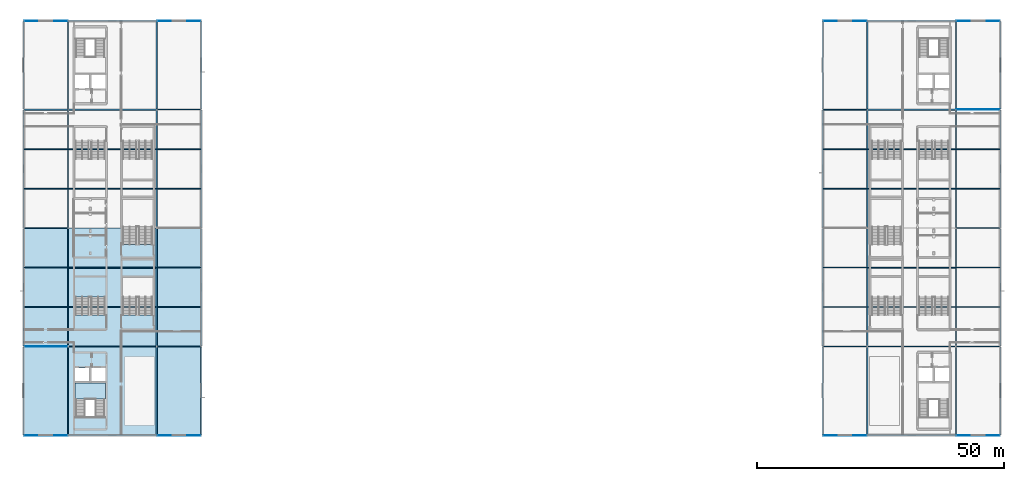
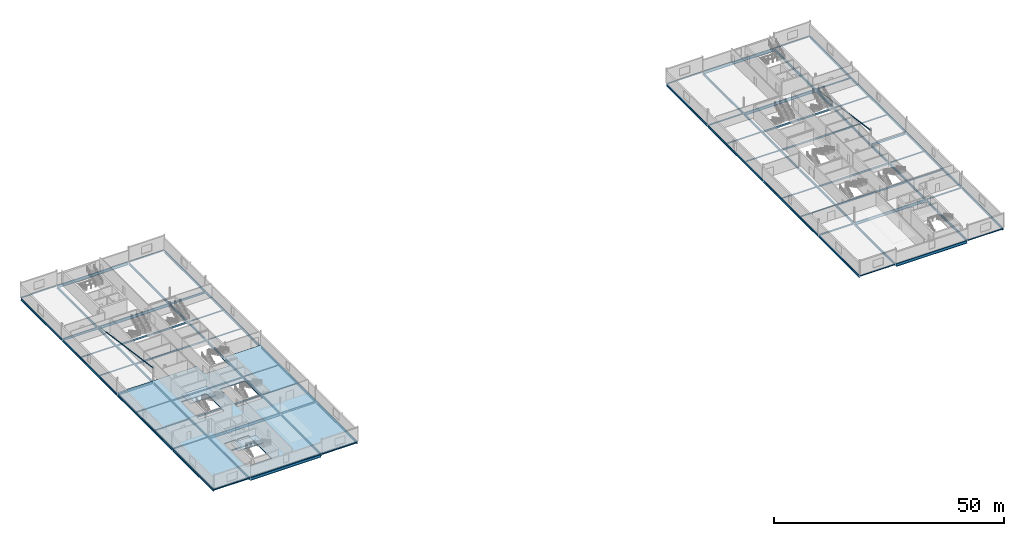
# One storey, part 17 of 35: 82 beams, 3 slabs, 2 members, 2 elements without a shape of their own.
"""IFC4 building model written with IfcOpenShell, lengths in metres."""

from ifc_helpers import new_model, si_unit, direction, frame, origin, origin_2d, place, context, subcontext, project, spatial, polyline, hollow_rectangle, hollow_circle, i_section, outline, extrude, material, layer, layer_set, material_profile, profile_set, type_object, element, aggregate, save


model = new_model("IFC4")

# Units and contexts
model_context = context("Model", 3, precision=1e-05, world=origin(), true_north=direction((0.0, 1.0)))
body_context = subcontext(model_context, "Body", "Model", "MODEL_VIEW")
ifc_project = project(units=[si_unit("LENGTHUNIT", "METRE"), si_unit("AREAUNIT", "SQUARE_METRE"), si_unit("VOLUMEUNIT", "CUBIC_METRE"), si_unit("PLANEANGLEUNIT", "RADIAN"), si_unit("MASSUNIT", "GRAM", prefix="KILO")], contexts=[model_context])

# Site, building, storey
site_placement = place(None, origin())
site = spatial("IfcSite", under=ifc_project, at=site_placement, CompositionType="ELEMENT")
building_placement = place(site_placement, origin())
building = spatial("IfcBuilding", under=site, at=building_placement, Name="Kisiwana Market Hall", CompositionType="ELEMENT")
storey_placement = place(building_placement, frame((0.0, 0.0, 61.800048828125)))
storey = spatial("IfcBuildingStorey", under=building, at=storey_placement, Name="L14", CompositionType="ELEMENT", Elevation=61.800048828125)

# Beams
ifc_material_1 = material(Name="Steel S355", Category="steel")
ifc_material_profile_1 = material_profile(ifc_material_1, i_section(OverallWidth=0.2099609375, OverallDepth=0.550048828125, WebThickness=0.010986328125, FlangeThickness=0.01708984375, FilletRadius=0.02392578125, at=origin_2d()), Name="IPE 550")
ifc_profile_set_1 = profile_set([ifc_material_profile_1], Name="Steel S355")
beam_type_1 = type_object("IfcBeamType", Name="BM-GIRD-IPE550", PredefinedType="BEAM", material=ifc_profile_set_1)
beam_1_placement = place(storey_placement, frame((27.1005859375, 84.0, -0.52001953125), z_axis=(1.0, 0.0, 0.0), x_axis=(0.0, 1.0, 0.0)))
element("IfcBeam", 1, at=beam_1_placement, inside=storey, type_object=beam_type_1, Name="Floor beam B-2774", PredefinedType="BEAM", context=body_context, shape_type="SweptSolid", body=[
    extrude(i_section(OverallWidth=0.2099609375, OverallDepth=0.550048828125, WebThickness=0.010986328125, FlangeThickness=0.01708984375, FilletRadius=0.02392578125, at=origin_2d()), origin(), (0.0, 0.0, 1.0), 8.800537109375),
])
ifc_material_2 = material(Name="Steel S355", Category="steel")
ifc_material_profile_2 = material_profile(ifc_material_2, i_section(OverallWidth=0.230224609375, OverallDepth=0.6171875, WebThickness=0.01318359375, FlangeThickness=0.022216796875, FilletRadius=0.0126953125, at=origin_2d()), Name="UB 610x229x140")
ifc_profile_set_2 = profile_set([ifc_material_profile_2], Name="Steel S355")
beam_type_2 = type_object("IfcBeamType", Name="BM-GIRD-UB140", PredefinedType="BEAM", material=ifc_profile_set_2)
beam_2_placement = place(storey_placement, frame((0.098876953125, 84.0, -0.5537109375), z_axis=(1.0, 0.0, 0.0), x_axis=(0.0, 1.0, 0.0)))
element("IfcBeam", 2, at=beam_2_placement, inside=storey, type_object=beam_type_2, Name="Floor beam B-2772", PredefinedType="BEAM", context=body_context, shape_type="SweptSolid", body=[
    extrude(i_section(OverallWidth=0.230224609375, OverallDepth=0.6171875, WebThickness=0.01318359375, FlangeThickness=0.022216796875, FilletRadius=0.0126953125, at=origin_2d()), origin(), (0.0, 0.0, 1.0), 8.800537109375),
])
ifc_material_3 = material(Name="Steel S355", Category="steel")
ifc_material_profile_3 = material_profile(ifc_material_3, i_section(OverallWidth=0.209228515625, OverallDepth=0.533203125, WebThickness=0.010009765625, FlangeThickness=0.015625, at=origin_2d()), Name="UB 533x210x92")
ifc_profile_set_3 = profile_set([ifc_material_profile_3], Name="Steel S355")
beam_type_3 = type_object("IfcBeamType", Name="BM-GIRD-UB533", PredefinedType="BEAM", material=ifc_profile_set_3)
for number, where, z_axis, x_axis, name in (
    (3, (27.1005859375, 36.0, -0.51171875), (1.0, 0.0, 0.0), (0.0, 1.0, 0.0), "Floor beam B-2768"),
    (4, (0.098876953125, 60.0, -0.51171875), (1.0, 0.0, 0.0), (0.0, 1.0, 0.0), "Primary girder B-2718"),
    (5, (189.1005859375, 60.0, -0.51171875), (1.0, 0.0, 0.0), (0.0, 1.0, 0.0), "Primary girder B-2719"),
):
    element("IfcBeam", number, at=place(storey_placement, frame(where, z_axis=z_axis, x_axis=x_axis)), inside=storey, type_object=beam_type_3, Name=name, PredefinedType="BEAM", context=body_context, shape_type="SweptSolid", body=[
        extrude(i_section(OverallWidth=0.209228515625, OverallDepth=0.533203125, WebThickness=0.010009765625, FlangeThickness=0.015625, at=origin_2d()), origin(), (0.0, 0.0, 1.0), 8.800537109375),
    ])
ifc_material_4 = material(Name="Steel S355", Category="steel")
ifc_material_profile_4 = material_profile(ifc_material_4, i_section(OverallWidth=0.22900390625, OverallDepth=0.6123046875, WebThickness=0.011962890625, FlangeThickness=0.01953125, at=origin_2d()), Name="UB 610x229x125")
ifc_profile_set_4 = profile_set([ifc_material_profile_4], Name="Steel S355")
beam_type_4 = type_object("IfcBeamType", Name="BM-GIRD-UB610H", PredefinedType="BEAM", material=ifc_profile_set_4)
beam_3_placement = place(storey_placement, frame((0.0, 18.100830078125, -0.55126953125), z_axis=(0.0, 1.0, 0.0), x_axis=(-1.0, 0.0, 0.0)))
element("IfcBeam", 6, at=beam_3_placement, inside=storey, type_object=beam_type_4, Name="Floor beam B-2784", PredefinedType="BEAM", context=body_context, shape_type="SweptSolid", body=[
    extrude(i_section(OverallWidth=0.22900390625, OverallDepth=0.6123046875, WebThickness=0.011962890625, FlangeThickness=0.01953125, at=origin_2d()), origin(), (0.0, 0.0, 1.0), 17.79833984375),
])
for number, where, z_axis, x_axis, name in (
    (7, (0.0, 36.100830078125, -0.55126953125), (0.0, 1.0, 0.0), (-1.0, 0.0, 0.0), "Floor beam B-2785"),
    (8, (0.0, 60.100830078125, -0.55126953125), (0.0, 1.0, 0.0), (-1.0, 0.0, 0.0), "Floor beam B-2786"),
):
    element("IfcBeam", number, at=place(storey_placement, frame(where, z_axis=z_axis, x_axis=x_axis)), inside=storey, type_object=beam_type_4, Name=name, PredefinedType="BEAM", context=body_context, shape_type="SweptSolid", body=[
        extrude(i_section(OverallWidth=0.22900390625, OverallDepth=0.6123046875, WebThickness=0.011962890625, FlangeThickness=0.01953125, at=origin_2d()), origin(), (0.0, 0.0, 1.0), 23.79833984375),
    ])
beam_4_placement = place(storey_placement, frame((0.0, 84.100830078125, -0.55126953125), z_axis=(0.0, 1.0, 0.0), x_axis=(-1.0, 0.0, 0.0)))
element("IfcBeam", 9, at=beam_4_placement, inside=storey, type_object=beam_type_4, Name="Floor beam B-2787", PredefinedType="BEAM", context=body_context, shape_type="SweptSolid", body=[
    extrude(i_section(OverallWidth=0.22900390625, OverallDepth=0.6123046875, WebThickness=0.011962890625, FlangeThickness=0.01953125, at=origin_2d()), origin(), (0.0, 0.0, 1.0), 17.79833984375),
])
for number, where, z_axis, x_axis, name in (
    (10, (27.0, 36.107177734375, -0.55126953125), (0.0, 1.0, 0.0), (-1.0, 0.0, 0.0), "Floor beam B-2788"),
    (11, (27.0, 60.107177734375, -0.55126953125), (0.0, 1.0, 0.0), (-1.0, 0.0, 0.0), "Floor beam B-2789"),
):
    element("IfcBeam", number, at=place(storey_placement, frame(where, z_axis=z_axis, x_axis=x_axis)), inside=storey, type_object=beam_type_4, Name=name, PredefinedType="BEAM", context=body_context, shape_type="SweptSolid", body=[
        extrude(i_section(OverallWidth=0.22900390625, OverallDepth=0.6123046875, WebThickness=0.011962890625, FlangeThickness=0.01953125, at=origin_2d()), origin(), (0.0, 0.0, 1.0), 23.78564453125),
    ])
for number, where, z_axis, x_axis, name in (
    (12, (36.0, 18.100830078125, -0.55126953125), (0.0, 1.0, 0.0), (-1.0, 0.0, 0.0), "Floor beam B-2790"),
    (13, (36.0, 84.100830078125, -0.55126953125), (0.0, 1.0, 0.0), (-1.0, 0.0, 0.0), "Floor beam B-2791"),
    (14, (162.0, 18.100830078125, -0.55126953125), (0.0, 1.0, 0.0), (-1.0, 0.0, 0.0), "Floor beam B-2792"),
    (15, (162.0, 84.100830078125, -0.55126953125), (0.0, 1.0, 0.0), (-1.0, 0.0, 0.0), "Floor beam B-2793"),
):
    element("IfcBeam", number, at=place(storey_placement, frame(where, z_axis=z_axis, x_axis=x_axis)), inside=storey, type_object=beam_type_4, Name=name, PredefinedType="BEAM", context=body_context, shape_type="SweptSolid", body=[
        extrude(i_section(OverallWidth=0.22900390625, OverallDepth=0.6123046875, WebThickness=0.011962890625, FlangeThickness=0.01953125, at=origin_2d()), origin(), (0.0, 0.0, 1.0), 17.79833984375),
    ])
for number, where, z_axis, x_axis, name in (
    (16, (171.0, 36.107177734375, -0.55126953125), (0.0, 1.0, 0.0), (-1.0, 0.0, 0.0), "Floor beam B-2794"),
    (17, (171.0, 60.107177734375, -0.55126953125), (0.0, 1.0, 0.0), (-1.0, 0.0, 0.0), "Floor beam B-2795"),
):
    element("IfcBeam", number, at=place(storey_placement, frame(where, z_axis=z_axis, x_axis=x_axis)), inside=storey, type_object=beam_type_4, Name=name, PredefinedType="BEAM", context=body_context, shape_type="SweptSolid", body=[
        extrude(i_section(OverallWidth=0.22900390625, OverallDepth=0.6123046875, WebThickness=0.011962890625, FlangeThickness=0.01953125, at=origin_2d()), origin(), (0.0, 0.0, 1.0), 23.78564453125),
    ])
beam_5_placement = place(storey_placement, frame((198.0, 18.100830078125, -0.55126953125), z_axis=(0.0, 1.0, 0.0), x_axis=(-1.0, 0.0, 0.0)))
element("IfcBeam", 18, at=beam_5_placement, inside=storey, type_object=beam_type_4, Name="Floor beam B-2796", PredefinedType="BEAM", context=body_context, shape_type="SweptSolid", body=[
    extrude(i_section(OverallWidth=0.22900390625, OverallDepth=0.6123046875, WebThickness=0.011962890625, FlangeThickness=0.01953125, at=origin_2d()), origin(), (0.0, 0.0, 1.0), 17.79833984375),
])
for number, where, z_axis, x_axis, name in (
    (19, (198.0, 36.100830078125, -0.55126953125), (0.0, 1.0, 0.0), (-1.0, 0.0, 0.0), "Floor beam B-2797"),
    (20, (198.0, 60.100830078125, -0.55126953125), (0.0, 1.0, 0.0), (-1.0, 0.0, 0.0), "Floor beam B-2798"),
):
    element("IfcBeam", number, at=place(storey_placement, frame(where, z_axis=z_axis, x_axis=x_axis)), inside=storey, type_object=beam_type_4, Name=name, PredefinedType="BEAM", context=body_context, shape_type="SweptSolid", body=[
        extrude(i_section(OverallWidth=0.22900390625, OverallDepth=0.6123046875, WebThickness=0.011962890625, FlangeThickness=0.01953125, at=origin_2d()), origin(), (0.0, 0.0, 1.0), 23.79833984375),
    ])
beam_6_placement = place(storey_placement, frame((198.0, 84.100830078125, -0.55126953125), z_axis=(0.0, 1.0, 0.0), x_axis=(-1.0, 0.0, 0.0)))
element("IfcBeam", 21, at=beam_6_placement, inside=storey, type_object=beam_type_4, Name="Floor beam B-2799", PredefinedType="BEAM", context=body_context, shape_type="SweptSolid", body=[
    extrude(i_section(OverallWidth=0.22900390625, OverallDepth=0.6123046875, WebThickness=0.011962890625, FlangeThickness=0.01953125, at=origin_2d()), origin(), (0.0, 0.0, 1.0), 17.79833984375),
])
beam_7_placement = place(storey_placement, frame((9.0, 18.107177734375, -0.55126953125), z_axis=(0.0, 1.0, 0.0), x_axis=(-1.0, 0.0, 0.0)))
element("IfcBeam", 22, at=beam_7_placement, inside=storey, type_object=beam_type_4, Name="Primary girder B-2720", PredefinedType="BEAM", context=body_context, shape_type="SweptSolid", body=[
    extrude(i_section(OverallWidth=0.22900390625, OverallDepth=0.6123046875, WebThickness=0.011962890625, FlangeThickness=0.01953125, at=origin_2d()), origin(), (0.0, 0.0, 1.0), 17.78564453125),
])
for number, where, z_axis, x_axis, name in (
    (23, (9.0, 36.107177734375, -0.55126953125), (0.0, 1.0, 0.0), (-1.0, 0.0, 0.0), "Primary girder B-2721"),
    (24, (9.0, 60.107177734375, -0.55126953125), (0.0, 1.0, 0.0), (-1.0, 0.0, 0.0), "Primary girder B-2722"),
):
    element("IfcBeam", number, at=place(storey_placement, frame(where, z_axis=z_axis, x_axis=x_axis)), inside=storey, type_object=beam_type_4, Name=name, PredefinedType="BEAM", context=body_context, shape_type="SweptSolid", body=[
        extrude(i_section(OverallWidth=0.22900390625, OverallDepth=0.6123046875, WebThickness=0.011962890625, FlangeThickness=0.01953125, at=origin_2d()), origin(), (0.0, 0.0, 1.0), 23.78564453125),
    ])
for number, where, z_axis, x_axis, name in (
    (25, (9.0, 84.107177734375, -0.55126953125), (0.0, 1.0, 0.0), (-1.0, 0.0, 0.0), "Primary girder B-2723"),
    (26, (27.0, 18.107177734375, -0.55126953125), (0.0, 1.0, 0.0), (-1.0, 0.0, 0.0), "Primary girder B-2724"),
    (27, (27.0, 84.107177734375, -0.55126953125), (0.0, 1.0, 0.0), (-1.0, 0.0, 0.0), "Primary girder B-2725"),
):
    element("IfcBeam", number, at=place(storey_placement, frame(where, z_axis=z_axis, x_axis=x_axis)), inside=storey, type_object=beam_type_4, Name=name, PredefinedType="BEAM", context=body_context, shape_type="SweptSolid", body=[
        extrude(i_section(OverallWidth=0.22900390625, OverallDepth=0.6123046875, WebThickness=0.011962890625, FlangeThickness=0.01953125, at=origin_2d()), origin(), (0.0, 0.0, 1.0), 17.78564453125),
    ])
for number, where, z_axis, x_axis, name in (
    (28, (36.0, 36.100830078125, -0.55126953125), (0.0, 1.0, 0.0), (-1.0, 0.0, 0.0), "Primary girder B-2726"),
    (29, (36.0, 60.100830078125, -0.55126953125), (0.0, 1.0, 0.0), (-1.0, 0.0, 0.0), "Primary girder B-2727"),
    (30, (162.0, 36.100830078125, -0.55126953125), (0.0, 1.0, 0.0), (-1.0, 0.0, 0.0), "Primary girder B-2728"),
    (31, (162.0, 60.100830078125, -0.55126953125), (0.0, 1.0, 0.0), (-1.0, 0.0, 0.0), "Primary girder B-2729"),
):
    element("IfcBeam", number, at=place(storey_placement, frame(where, z_axis=z_axis, x_axis=x_axis)), inside=storey, type_object=beam_type_4, Name=name, PredefinedType="BEAM", context=body_context, shape_type="SweptSolid", body=[
        extrude(i_section(OverallWidth=0.22900390625, OverallDepth=0.6123046875, WebThickness=0.011962890625, FlangeThickness=0.01953125, at=origin_2d()), origin(), (0.0, 0.0, 1.0), 23.79833984375),
    ])
for number, where, z_axis, x_axis, name in (
    (32, (171.0, 18.107177734375, -0.55126953125), (0.0, 1.0, 0.0), (-1.0, 0.0, 0.0), "Primary girder B-2730"),
    (33, (171.0, 84.107177734375, -0.55126953125), (0.0, 1.0, 0.0), (-1.0, 0.0, 0.0), "Primary girder B-2731"),
    (34, (189.0, 18.107177734375, -0.55126953125), (0.0, 1.0, 0.0), (-1.0, 0.0, 0.0), "Primary girder B-2732"),
):
    element("IfcBeam", number, at=place(storey_placement, frame(where, z_axis=z_axis, x_axis=x_axis)), inside=storey, type_object=beam_type_4, Name=name, PredefinedType="BEAM", context=body_context, shape_type="SweptSolid", body=[
        extrude(i_section(OverallWidth=0.22900390625, OverallDepth=0.6123046875, WebThickness=0.011962890625, FlangeThickness=0.01953125, at=origin_2d()), origin(), (0.0, 0.0, 1.0), 17.78564453125),
    ])
for number, where, z_axis, x_axis, name in (
    (35, (189.0, 36.107177734375, -0.55126953125), (0.0, 1.0, 0.0), (-1.0, 0.0, 0.0), "Primary girder B-2733"),
    (36, (189.0, 60.107177734375, -0.55126953125), (0.0, 1.0, 0.0), (-1.0, 0.0, 0.0), "Primary girder B-2734"),
):
    element("IfcBeam", number, at=place(storey_placement, frame(where, z_axis=z_axis, x_axis=x_axis)), inside=storey, type_object=beam_type_4, Name=name, PredefinedType="BEAM", context=body_context, shape_type="SweptSolid", body=[
        extrude(i_section(OverallWidth=0.22900390625, OverallDepth=0.6123046875, WebThickness=0.011962890625, FlangeThickness=0.01953125, at=origin_2d()), origin(), (0.0, 0.0, 1.0), 23.78564453125),
    ])
beam_8_placement = place(storey_placement, frame((189.0, 84.107177734375, -0.55126953125), z_axis=(0.0, 1.0, 0.0), x_axis=(-1.0, 0.0, 0.0)))
element("IfcBeam", 37, at=beam_8_placement, inside=storey, type_object=beam_type_4, Name="Primary girder B-2735", PredefinedType="BEAM", context=body_context, shape_type="SweptSolid", body=[
    extrude(i_section(OverallWidth=0.22900390625, OverallDepth=0.6123046875, WebThickness=0.011962890625, FlangeThickness=0.01953125, at=origin_2d()), origin(), (0.0, 0.0, 1.0), 17.78564453125),
])
ifc_material_5 = material(Name="Steel S355", Category="steel")
ifc_material_profile_5 = material_profile(ifc_material_5, i_section(OverallWidth=0.2666015625, OverallDepth=0.76220703125, WebThickness=0.014404296875, FlangeThickness=0.021484375, at=origin_2d()), Name="UB 762x267x173")
ifc_profile_set_5 = profile_set([ifc_material_profile_5], Name="Steel S355")
beam_type_5 = type_object("IfcBeamType", Name="BM-GIRD-UB762", PredefinedType="BEAM", material=ifc_profile_set_5)
for number, where, z_axis, x_axis, name in (
    (38, (9.1005859375, 18.0, -0.626220703125), (1.0, 0.0, 0.0), (0.0, 1.0, 0.0), "Floor beam B-2761"),
    (39, (171.1005859375, 18.0, -0.626220703125), (1.0, 0.0, 0.0), (0.0, 1.0, 0.0), "Floor beam B-2764"),
    (40, (9.1005859375, 36.0, -0.626220703125), (1.0, 0.0, 0.0), (0.0, 1.0, 0.0), "Floor beam B-2767"),
    (41, (171.1005859375, 36.0, -0.626220703125), (1.0, 0.0, 0.0), (0.0, 1.0, 0.0), "Floor beam B-2770"),
    (42, (9.1005859375, 84.0, -0.626220703125), (1.0, 0.0, 0.0), (0.0, 1.0, 0.0), "Floor beam B-2773"),
    (43, (171.1005859375, 84.0, -0.626220703125), (1.0, 0.0, 0.0), (0.0, 1.0, 0.0), "Floor beam B-2776"),
    (44, (9.1005859375, 102.0, -0.626220703125), (1.0, 0.0, 0.0), (0.0, 1.0, 0.0), "Floor beam B-2779"),
    (45, (171.1005859375, 102.0, -0.626220703125), (1.0, 0.0, 0.0), (0.0, 1.0, 0.0), "Floor beam B-2782"),
):
    element("IfcBeam", number, at=place(storey_placement, frame(where, z_axis=z_axis, x_axis=x_axis)), inside=storey, type_object=beam_type_5, Name=name, PredefinedType="BEAM", context=body_context, shape_type="SweptSolid", body=[
        extrude(i_section(OverallWidth=0.2666015625, OverallDepth=0.76220703125, WebThickness=0.014404296875, FlangeThickness=0.021484375, at=origin_2d()), origin(), (0.0, 0.0, 1.0), 17.798828125),
    ])
ifc_material_6 = material(Name="Steel S355", Category="steel")
ifc_material_profile_6 = material_profile(ifc_material_6, i_section(OverallWidth=0.102294921875, OverallDepth=0.260498046875, WebThickness=0.00634765625, FlangeThickness=0.010009765625, FilletRadius=0.007568359375, at=origin_2d()), Name="UB 254x102x28")
ifc_profile_set_6 = profile_set([ifc_material_profile_6], Name="Steel S355")
beam_type_6 = type_object("IfcBeamType", Name="BM-JOIST-UB028", PredefinedType="JOIST", material=ifc_profile_set_6)
for number, where, z_axis, x_axis, name in (
    (46, (0.098876953125, 36.0, -0.375244140625), (1.0, 0.0, 0.0), (0.0, 1.0, 0.0), "Floor beam B-2766"),
    (47, (189.1005859375, 84.0, -0.375244140625), (1.0, 0.0, 0.0), (0.0, 1.0, 0.0), "Floor beam B-2777"),
):
    element("IfcBeam", number, at=place(storey_placement, frame(where, z_axis=z_axis, x_axis=x_axis)), inside=storey, type_object=beam_type_6, Name=name, PredefinedType="JOIST", context=body_context, shape_type="SweptSolid", body=[
        extrude(i_section(OverallWidth=0.102294921875, OverallDepth=0.260498046875, WebThickness=0.00634765625, FlangeThickness=0.010009765625, FilletRadius=0.007568359375, at=origin_2d()), origin(), (0.0, 0.0, 1.0), 8.800537109375),
    ])
ifc_material_7 = material(Name="Steel S355", Category="steel")
ifc_material_profile_7 = material_profile(ifc_material_7, i_section(OverallWidth=0.1708984375, OverallDepth=0.351318359375, WebThickness=0.007080078125, FlangeThickness=0.009765625, FilletRadius=0.01025390625, at=origin_2d()), Name="UB 356x171x45")
ifc_profile_set_7 = profile_set([ifc_material_profile_7], Name="Steel S355")
beam_type_7 = type_object("IfcBeamType", Name="BM-JOIST-UB045", PredefinedType="JOIST", material=ifc_profile_set_7)
beam_9_placement = place(storey_placement, frame((189.1005859375, 36.0, -0.420654296875), z_axis=(1.0, 0.0, 0.0), x_axis=(0.0, 1.0, 0.0)))
element("IfcBeam", 48, at=beam_9_placement, inside=storey, type_object=beam_type_7, Name="Floor beam B-2771", PredefinedType="JOIST", context=body_context, shape_type="SweptSolid", body=[
    extrude(i_section(OverallWidth=0.1708984375, OverallDepth=0.351318359375, WebThickness=0.007080078125, FlangeThickness=0.009765625, FilletRadius=0.01025390625, at=origin_2d()), origin(), (0.0, 0.0, 1.0), 8.800537109375),
])
ifc_material_8 = material(Name="Steel S355", Category="steel")
ifc_material_profile_8 = material_profile(ifc_material_8, i_section(OverallWidth=0.1650390625, OverallDepth=0.303466796875, WebThickness=0.006103515625, FlangeThickness=0.01025390625, at=origin_2d()), Name="UB 305x165x40")
ifc_profile_set_8 = profile_set([ifc_material_profile_8], Name="Steel S355")
beam_type_8 = type_object("IfcBeamType", Name="BM-JOIST-UB305", PredefinedType="JOIST", material=ifc_profile_set_8)
beam_10_placement = place(storey_placement, frame((162.098876953125, 84.0, -0.396728515625), z_axis=(1.0, 0.0, 0.0), x_axis=(0.0, 1.0, 0.0)))
element("IfcBeam", 49, at=beam_10_placement, inside=storey, type_object=beam_type_8, Name="Floor beam B-2775", PredefinedType="JOIST", context=body_context, shape_type="SweptSolid", body=[
    extrude(i_section(OverallWidth=0.1650390625, OverallDepth=0.303466796875, WebThickness=0.006103515625, FlangeThickness=0.01025390625, at=origin_2d()), origin(), (0.0, 0.0, 1.0), 8.800537109375),
])
ifc_material_9 = material(Name="Steel S355", Category="steel")
ifc_material_profile_9 = material_profile(ifc_material_9, i_section(OverallWidth=0.165771484375, OverallDepth=0.306640625, WebThickness=0.006591796875, FlangeThickness=0.01171875, at=origin_2d()), Name="UB 305x165x46")
ifc_profile_set_9 = profile_set([ifc_material_profile_9], Name="Steel S355")
beam_type_9 = type_object("IfcBeamType", Name="BM-JOIST-UB305H", PredefinedType="JOIST", material=ifc_profile_set_9)
for number, where, z_axis, x_axis, name in (
    (50, (0.113525390625, 44.0, -0.3984375), (1.0, 0.0, 0.0), (0.0, 1.0, 0.0), "Secondary floor joist B-2736"),
    (51, (27.113525390625, 44.0, -0.3984375), (1.0, 0.0, 0.0), (0.0, 1.0, 0.0), "Secondary floor joist B-2738"),
    (52, (162.113525390625, 44.0, -0.3984375), (1.0, 0.0, 0.0), (0.0, 1.0, 0.0), "Secondary floor joist B-2739"),
    (53, (189.113525390625, 44.0, -0.3984375), (1.0, 0.0, 0.0), (0.0, 1.0, 0.0), "Secondary floor joist B-2741"),
    (54, (0.113525390625, 52.0, -0.3984375), (1.0, 0.0, 0.0), (0.0, 1.0, 0.0), "Secondary floor joist B-2742"),
    (55, (27.113525390625, 52.0, -0.3984375), (1.0, 0.0, 0.0), (0.0, 1.0, 0.0), "Secondary floor joist B-2744"),
    (56, (162.113525390625, 52.0, -0.3984375), (1.0, 0.0, 0.0), (0.0, 1.0, 0.0), "Secondary floor joist B-2745"),
    (57, (189.113525390625, 52.0, -0.3984375), (1.0, 0.0, 0.0), (0.0, 1.0, 0.0), "Secondary floor joist B-2747"),
    (58, (0.113525390625, 68.0, -0.3984375), (1.0, 0.0, 0.0), (0.0, 1.0, 0.0), "Secondary floor joist B-2748"),
    (59, (27.113525390625, 68.0, -0.3984375), (1.0, 0.0, 0.0), (0.0, 1.0, 0.0), "Secondary floor joist B-2750"),
    (60, (162.113525390625, 68.0, -0.3984375), (1.0, 0.0, 0.0), (0.0, 1.0, 0.0), "Secondary floor joist B-2751"),
    (61, (189.113525390625, 68.0, -0.3984375), (1.0, 0.0, 0.0), (0.0, 1.0, 0.0), "Secondary floor joist B-2753"),
    (62, (0.113525390625, 76.0, -0.3984375), (1.0, 0.0, 0.0), (0.0, 1.0, 0.0), "Secondary floor joist B-2754"),
    (63, (27.113525390625, 76.0, -0.3984375), (1.0, 0.0, 0.0), (0.0, 1.0, 0.0), "Secondary floor joist B-2756"),
    (64, (162.113525390625, 76.0, -0.3984375), (1.0, 0.0, 0.0), (0.0, 1.0, 0.0), "Secondary floor joist B-2757"),
    (65, (189.113525390625, 76.0, -0.3984375), (1.0, 0.0, 0.0), (0.0, 1.0, 0.0), "Secondary floor joist B-2759"),
):
    element("IfcBeam", number, at=place(storey_placement, frame(where, z_axis=z_axis, x_axis=x_axis)), inside=storey, type_object=beam_type_9, Name=name, PredefinedType="JOIST", context=body_context, shape_type="SweptSolid", body=[
        extrude(i_section(OverallWidth=0.165771484375, OverallDepth=0.306640625, WebThickness=0.006591796875, FlangeThickness=0.01171875, at=origin_2d()), origin(), (0.0, 0.0, 1.0), 8.77294921875),
    ])
ifc_material_10 = material(Name="Steel S355", Category="steel")
ifc_material_profile_10 = material_profile(ifc_material_10, i_section(OverallWidth=0.177734375, OverallDepth=0.402587890625, WebThickness=0.0078125, FlangeThickness=0.010986328125, at=origin_2d()), Name="UB 406x178x54")
ifc_profile_set_10 = profile_set([ifc_material_profile_10], Name="Steel S355")
beam_type_10 = type_object("IfcBeamType", Name="BM-JOIST-UB406", PredefinedType="JOIST", material=ifc_profile_set_10)
beam_11_placement = place(storey_placement, frame((162.098876953125, 36.0, -0.4462890625), z_axis=(1.0, 0.0, 0.0), x_axis=(0.0, 1.0, 0.0)))
element("IfcBeam", 66, at=beam_11_placement, inside=storey, type_object=beam_type_10, Name="Floor beam B-2769", PredefinedType="JOIST", context=body_context, shape_type="SweptSolid", body=[
    extrude(i_section(OverallWidth=0.177734375, OverallDepth=0.402587890625, WebThickness=0.0078125, FlangeThickness=0.010986328125, at=origin_2d()), origin(), (0.0, 0.0, 1.0), 8.800537109375),
])
ifc_material_11 = material(Name="Steel S355", Category="steel")
ifc_material_profile_11 = material_profile(ifc_material_11, i_section(OverallWidth=0.18994140625, OverallDepth=0.453369140625, WebThickness=0.008544921875, FlangeThickness=0.0126953125, at=origin_2d()), Name="UB 457x191x67")
ifc_profile_set_11 = profile_set([ifc_material_profile_11], Name="Steel S355")
beam_type_11 = type_object("IfcBeamType", Name="BM-JOIST-UB457", PredefinedType="JOIST", material=ifc_profile_set_11)
for number, where, z_axis, x_axis, name in (
    (67, (9.113525390625, 44.0, -0.4716796875), (1.0, 0.0, 0.0), (0.0, 1.0, 0.0), "Secondary floor joist B-2737"),
    (68, (171.113525390625, 44.0, -0.4716796875), (1.0, 0.0, 0.0), (0.0, 1.0, 0.0), "Secondary floor joist B-2740"),
    (69, (9.113525390625, 52.0, -0.4716796875), (1.0, 0.0, 0.0), (0.0, 1.0, 0.0), "Secondary floor joist B-2743"),
    (70, (171.113525390625, 52.0, -0.4716796875), (1.0, 0.0, 0.0), (0.0, 1.0, 0.0), "Secondary floor joist B-2746"),
    (71, (9.113525390625, 68.0, -0.4716796875), (1.0, 0.0, 0.0), (0.0, 1.0, 0.0), "Secondary floor joist B-2749"),
    (72, (171.113525390625, 68.0, -0.4716796875), (1.0, 0.0, 0.0), (0.0, 1.0, 0.0), "Secondary floor joist B-2752"),
    (73, (9.113525390625, 76.0, -0.4716796875), (1.0, 0.0, 0.0), (0.0, 1.0, 0.0), "Secondary floor joist B-2755"),
    (74, (171.113525390625, 76.0, -0.4716796875), (1.0, 0.0, 0.0), (0.0, 1.0, 0.0), "Secondary floor joist B-2758"),
):
    element("IfcBeam", number, at=place(storey_placement, frame(where, z_axis=z_axis, x_axis=x_axis)), inside=storey, type_object=beam_type_11, Name=name, PredefinedType="JOIST", context=body_context, shape_type="SweptSolid", body=[
        extrude(i_section(OverallWidth=0.18994140625, OverallDepth=0.453369140625, WebThickness=0.008544921875, FlangeThickness=0.0126953125, at=origin_2d()), origin(), (0.0, 0.0, 1.0), 17.77294921875),
    ])
ifc_material_12 = material(Name="Steel S355", Category="steel")
ifc_material_profile_12 = material_profile(ifc_material_12, hollow_rectangle(XDim=0.10009765625, YDim=0.199951171875, WallThickness=0.008056640625, at=origin_2d()), Name="RHS 200x100x8.0")
ifc_profile_set_12 = profile_set([ifc_material_profile_12], Name="Steel S355")
beam_type_12 = type_object("IfcBeamType", Name="BM-SPAN-RHS200", PredefinedType="SPANDREL", material=ifc_profile_set_12)
for number, where, z_axis, x_axis, name in (
    (75, (0.098876953125, 18.0, -0.344970703125), (1.0, 0.0, 0.0), (0.0, 1.0, 0.0), "Floor beam B-2760"),
    (76, (27.1005859375, 18.0, -0.344970703125), (1.0, 0.0, 0.0), (0.0, 1.0, 0.0), "Floor beam B-2762"),
    (77, (162.098876953125, 18.0, -0.344970703125), (1.0, 0.0, 0.0), (0.0, 1.0, 0.0), "Floor beam B-2763"),
    (78, (189.1005859375, 18.0, -0.344970703125), (1.0, 0.0, 0.0), (0.0, 1.0, 0.0), "Floor beam B-2765"),
    (79, (0.098876953125, 102.0, -0.344970703125), (1.0, 0.0, 0.0), (0.0, 1.0, 0.0), "Floor beam B-2778"),
    (80, (27.1005859375, 102.0, -0.344970703125), (1.0, 0.0, 0.0), (0.0, 1.0, 0.0), "Floor beam B-2780"),
    (81, (162.098876953125, 102.0, -0.344970703125), (1.0, 0.0, 0.0), (0.0, 1.0, 0.0), "Floor beam B-2781"),
    (82, (189.1005859375, 102.0, -0.344970703125), (1.0, 0.0, 0.0), (0.0, 1.0, 0.0), "Floor beam B-2783"),
):
    element("IfcBeam", number, at=place(storey_placement, frame(where, z_axis=z_axis, x_axis=x_axis)), inside=storey, type_object=beam_type_12, Name=name, PredefinedType="SPANDREL", context=body_context, shape_type="SweptSolid", body=[
        extrude(hollow_rectangle(XDim=0.10009765625, YDim=0.199951171875, WallThickness=0.008056640625, at=origin_2d()), origin(), (0.0, 0.0, 1.0), 8.800537109375),
    ])

# Members
ifc_material_13 = material(Name="Steel S355", Category="steel")
ifc_material_profile_13 = material_profile(ifc_material_13, hollow_circle(Radius=0.122314453125, WallThickness=0.012451171875, at=origin_2d()), Name="CHS 244.5x12.5")
ifc_profile_set_13 = profile_set([ifc_material_profile_13], Name="Steel S355")
member_type = type_object("IfcMemberType", Name="MB-CBF-CHS244", PredefinedType="BRACE", material=ifc_profile_set_13)
for number, where, z_axis, x_axis, name in (
    (83, (9.0, 84.0, 0.0), (0.0, -0.990370167022, 0.1384446903), (1.0, 0.0, 0.0), "CBF-W-S diagonal brace (L14) M-0047"),
    (84, (189.0, 84.0, 0.0), (0.0, -0.990370167022, 0.1384446903), (1.0, 0.0, 0.0), "CBF-E-S diagonal brace (L14) M-0048"),
):
    element("IfcMember", number, at=place(storey_placement, frame(where, z_axis=z_axis, x_axis=x_axis)), inside=storey, type_object=member_type, Name=name, PredefinedType="BRACE", context=body_context, shape_type="SweptSolid", body=[
        extrude(hollow_circle(Radius=0.122314453125, WallThickness=0.012451171875, at=origin_2d()), origin(), (0.0, 0.0, 1.0), 24.2333984375),
    ])

# Stair, slab
ifc_material_14 = material(Name="Concrete C32/40", Category="concrete")
stair_type_1 = type_object("IfcStairType", Name="ST-TWR-3900", PredefinedType="TWO_STRAIGHT_RUN_STAIR", material=ifc_material_14)
stair_1_placement = place(storey_placement, origin())
stair_1 = element("IfcStair", 85, at=stair_1_placement, inside=storey, type_object=stair_type_1, Name="Escape stair ST-W2-L14", PredefinedType="TWO_STRAIGHT_RUN_STAIR")
ifc_material_15 = material(Name="Concrete C32/40", Category="concrete")
ifc_layer_1 = layer(ifc_material_15, 0.239990234375)
ifc_layer_set_1 = layer_set([ifc_layer_1], Name="SL-LANDING-160")
slab_type_1 = type_object("IfcSlabType", Name="SL-LANDING-160", PredefinedType="LANDING", material=ifc_layer_set_1)
slab_1_placement = place(storey_placement, frame((0.0, 0.0, 1.7099609375)))
slab_1 = element("IfcSlab", 86, at=slab_1_placement, type_object=slab_type_1, Name="ST-W2-L14 landing 1 S-450", PredefinedType="LANDING", context=body_context, shape_type="SweptSolid", body=[
    extrude(outline(polyline([(10.405029296875, 25.333984375), (16.594970703125, 25.333984375), (16.594970703125, 28.64501953125), (10.405029296875, 28.64501953125), (10.405029296875, 25.333984375)])), origin(), (0.0, 0.0, 1.0), 0.239990234375),
])
aggregate(stair_1, [slab_1])

ifc_material_16 = material(Name="Concrete C32/40", Category="concrete")
stair_type_2 = type_object("IfcStairType", Name="ST-ESC-3900", PredefinedType="TWO_STRAIGHT_RUN_STAIR", material=ifc_material_16)
stair_2_placement = place(storey_placement, origin())
stair_2 = element("IfcStair", 87, at=stair_2_placement, inside=storey, type_object=stair_type_2, Name="Escape stair ST-W3-L14", PredefinedType="TWO_STRAIGHT_RUN_STAIR")
slab_2_placement = place(storey_placement, frame((0.0, 0.0, 1.7099609375)))
slab_2 = element("IfcSlab", 88, at=slab_2_placement, type_object=slab_type_1, Name="ST-W3-L14 landing 1 S-451", PredefinedType="LANDING", context=body_context, shape_type="SweptSolid", body=[
    extrude(outline(polyline([(10.340087890625, 46.01953125), (16.659912109375, 46.01953125), (16.659912109375, 50.06005859375), (10.340087890625, 50.06005859375), (10.340087890625, 46.01953125)])), origin(), (0.0, 0.0, 1.0), 0.239990234375),
])
aggregate(stair_2, [slab_2])

# Slab
ifc_material_17 = material(Name="Concrete C32/40", Category="concrete")
ifc_layer_2 = layer(ifc_material_17, 0.2451171875)
ifc_layer_set_2 = layer_set([ifc_layer_2], Name="SL-OFF-175")
slab_type_2 = type_object("IfcSlabType", Name="SL-OFF-175", PredefinedType="FLOOR", material=ifc_layer_set_2)
slab_3_placement = place(storey_placement, frame((0.0, 0.0, -0.2451171875)))
element("IfcSlab", 89, at=slab_3_placement, inside=storey, type_object=slab_type_2, Name="Structural slab S-438", PredefinedType="FLOOR", context=body_context, shape_type="SweptSolid", body=[
    extrude(outline(polyline([(0.0, 18.0), (36.0, 18.0), (36.0, 60.0), (26.239990234375, 60.0), (26.239990234375, 56.659912109375), (19.9599609375, 56.659912109375), (19.9599609375, 60.0), (0.0, 60.0), (0.0, 18.0)]), holes=[polyline([(10.425048828125, 21.675048828125), (16.574951171875, 21.675048828125), (16.574951171875, 28.625), (10.425048828125, 28.625), (10.425048828125, 21.675048828125)]), polyline([(10.425048828125, 28.945068359375), (13.340087890625, 28.945068359375), (13.340087890625, 31.675048828125), (10.425048828125, 31.675048828125), (10.425048828125, 28.945068359375)]), polyline([(13.659912109375, 28.945068359375), (16.574951171875, 28.945068359375), (16.574951171875, 31.675048828125), (13.659912109375, 31.675048828125), (13.659912109375, 28.945068359375)]), polyline([(10.360107421875, 42.3798828125), (16.639892578125, 42.3798828125), (16.639892578125, 50.0400390625), (10.360107421875, 50.0400390625), (10.360107421875, 42.3798828125)]), polyline([(19.9599609375, 42.3798828125), (26.239990234375, 42.3798828125), (26.239990234375, 50.0400390625), (19.9599609375, 50.0400390625), (19.9599609375, 42.3798828125)])]), origin(), (0.0, 0.0, 1.0), 0.2451171875),
])

save(model, "model.ifc")
